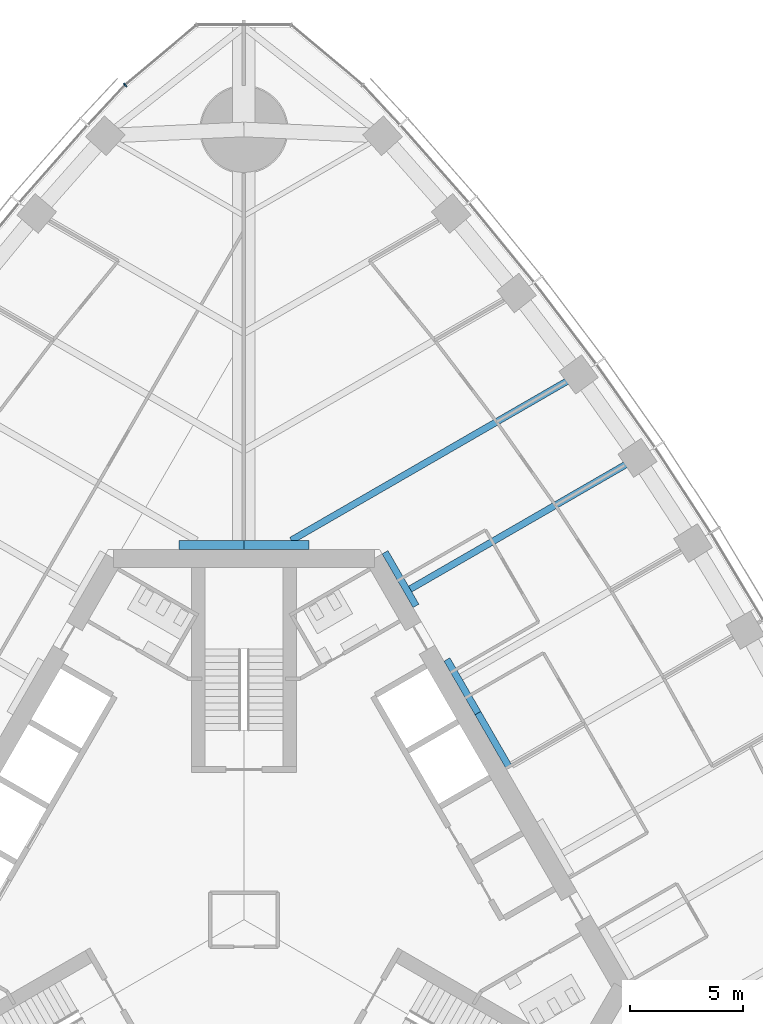
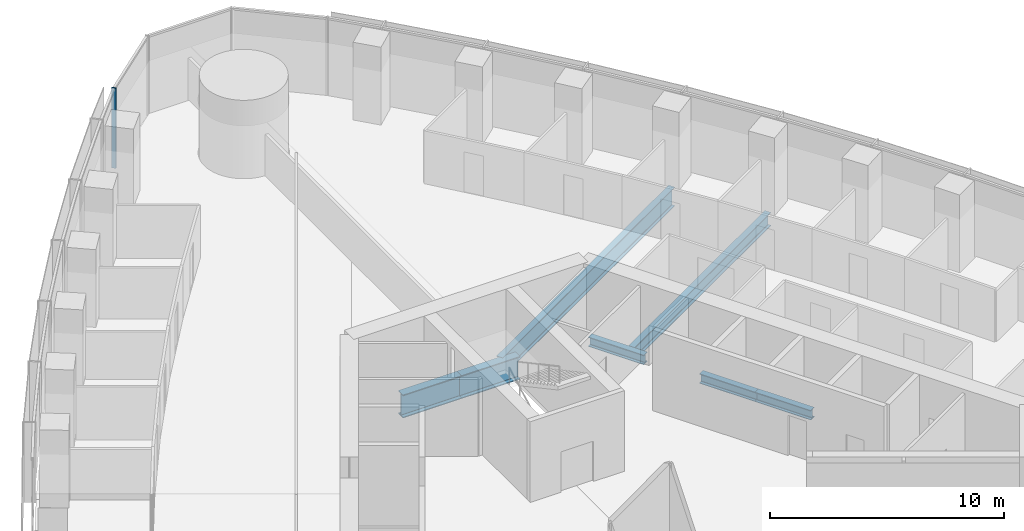
# One storey, part 5 of 21: 7 beams, 1 member, 1 element without a shape of its own.
"""IFC4 building model written with IfcOpenShell, lengths in metres."""

from ifc_helpers import new_model, si_unit, direction, frame, origin, origin_2d, place, context, subcontext, project, spatial, rectangle, i_section, extrude, material, material_profile, profile_set, type_object, element, aggregate, save


model = new_model("IFC4")

# Units and contexts
model_context = context("Model", 3, precision=1e-05, world=origin(), true_north=direction((0.0, 1.0)))
body_context = subcontext(model_context, "Body", "Model", "MODEL_VIEW")
ifc_project = project(units=[si_unit("LENGTHUNIT", "METRE"), si_unit("AREAUNIT", "SQUARE_METRE"), si_unit("VOLUMEUNIT", "CUBIC_METRE"), si_unit("PLANEANGLEUNIT", "RADIAN"), si_unit("MASSUNIT", "GRAM", prefix="KILO")], contexts=[model_context])

# Site, building, storey
site_placement = place(None, origin())
site = spatial("IfcSite", under=ifc_project, at=site_placement, CompositionType="ELEMENT")
building_placement = place(site_placement, origin())
building = spatial("IfcBuilding", under=site, at=building_placement, Name="Trefoil Bronze Tower", CompositionType="ELEMENT")
storey_placement = place(building_placement, frame((0.0, 0.0, 153.5)))
storey = spatial("IfcBuildingStorey", under=building, at=storey_placement, Name="L35", CompositionType="ELEMENT", Elevation=153.5)

# Curtain wall, member
ifc_material_1 = material(Name="Tinted solar-control glass", Category="glass")
curtain_wall_type = type_object("IfcCurtainWallType", Name="Bronze rounded corner curtain wall", PredefinedType="USERDEFINED", material=ifc_material_1)
curtain_wall_placement = place(storey_placement, origin())
curtain_wall = element("IfcCurtainWall", 1, at=curtain_wall_placement, inside=storey, type_object=curtain_wall_type, Name="CW-B L35 K2", ObjectType="CURTAIN WALL", PredefinedType="USERDEFINED")
ifc_material_2 = material(Name="Bronze-finish aluminium", Category="aluminium")
ifc_material_profile_1 = material_profile(ifc_material_2, rectangle(XDim=0.199951171875, YDim=0.06005859375, at=origin_2d()), Name="CW-B mullion")
ifc_profile_set_1 = profile_set([ifc_material_profile_1], Name="Bronze-finish aluminium")
member_type = type_object("IfcMemberType", Name="Bronze rounded corner curtain wall mullion", PredefinedType="MULLION", material=ifc_profile_set_1)
member_placement = place(storey_placement, frame((-5.260498046875, 36.975830078125, 0.0), z_axis=(0.0, 0.0, 1.0), x_axis=(0.642787609687, -0.766044443119, 0.0)))
member = element("IfcMember", 2, at=member_placement, type_object=member_type, Name="CW-B L35 K2 mullion 4", PredefinedType="MULLION", context=body_context, shape_type="SweptSolid", body=[
    extrude(rectangle(XDim=0.199951171875, YDim=0.06005859375, at=origin_2d()), origin(), (0.0, 0.0, 1.0), 4.179931640625),
])
aggregate(curtain_wall, [member])

# Beams
ifc_material_3 = material(Name="Steel C355", Category="steel")
ifc_material_profile_2 = material_profile(ifc_material_3, i_section(OverallWidth=0.300048828125, OverallDepth=0.5, WebThickness=0.014404296875, FlangeThickness=0.028076171875, FilletRadius=0.027099609375, at=origin_2d()), Name="HEB 500")
ifc_profile_set_2 = profile_set([ifc_material_profile_2], Name="Steel C355")
beam_type_1 = type_object("IfcBeamType", Name="Core seat beam HEB 500", PredefinedType="BEAM", material=ifc_profile_set_2)
for number, where, z_axis, x_axis, name in (
    (3, (11.734619140625, 6.77490234375, -0.449951171875), (-0.499969057507, 0.866043267704, 0.0), (-0.866043267704, -0.499969057507, 0.0), "Core seat beam F2/+0 L35"),
    (4, (10.363525390625, 9.14990234375, -0.449951171875), (-0.500035825175, 0.866004719122, 0.0), (-0.866004719122, -0.500035825175, 0.0), "Core seat beam F2/+1 L35"),
    (5, (7.62109375, 13.89990234375, -0.449951171875), (-0.500035825175, 0.866004719122, 0.0), (-0.866004719122, -0.500035825175, 0.0), "Core seat beam F2/+2 L35"),
):
    element("IfcBeam", number, at=place(storey_placement, frame(where, z_axis=z_axis, x_axis=x_axis)), inside=storey, type_object=beam_type_1, Name=name, PredefinedType="BEAM", context=body_context, shape_type="SweptSolid", body=[
        extrude(i_section(OverallWidth=0.300048828125, OverallDepth=0.5, WebThickness=0.014404296875, FlangeThickness=0.028076171875, FilletRadius=0.027099609375, at=origin_2d()), origin(), (0.0, 0.0, 1.0), 2.742431640625),
    ])
ifc_material_4 = material(Name="Steel C355", Category="steel")
ifc_material_profile_3 = material_profile(ifc_material_4, i_section(OverallWidth=0.39990234375, OverallDepth=1.199951171875, WebThickness=0.02001953125, FlangeThickness=0.0400390625, FilletRadius=0.010009765625, at=origin_2d()), Name="WPG 1200")
ifc_profile_set_3 = profile_set([ifc_material_profile_3], Name="Steel C355")
beam_type_2 = type_object("IfcBeamType", Name="Core seat beam WPG 1200", PredefinedType="BEAM", material=ifc_profile_set_3)
for number, where, z_axis, x_axis, name in (
    (6, (2.88671875, 16.60009765625, -0.800048828125), (-1.0, 0.0, 0.0), (0.0, -1.0, 0.0), "Core seat beam F2/+3 L35"),
    (7, (0.0, 16.60009765625, -0.800048828125), (-1.0, 0.0, 0.0), (0.0, -1.0, 0.0), "Core seat beam F3/-3 L35"),
):
    element("IfcBeam", number, at=place(storey_placement, frame(where, z_axis=z_axis, x_axis=x_axis)), inside=storey, type_object=beam_type_2, Name=name, PredefinedType="BEAM", context=body_context, shape_type="SweptSolid", body=[
        extrude(i_section(OverallWidth=0.39990234375, OverallDepth=1.199951171875, WebThickness=0.02001953125, FlangeThickness=0.0400390625, FilletRadius=0.010009765625, at=origin_2d()), origin(), (0.0, 0.0, 1.0), 2.88671875),
    ])
ifc_material_5 = material(Name="Steel C355", Category="steel")
ifc_material_profile_4 = material_profile(ifc_material_5, i_section(OverallWidth=0.300048828125, OverallDepth=1.0, WebThickness=0.01904296875, FlangeThickness=0.035888671875, FilletRadius=0.030029296875, at=origin_2d()), Name="HEB 1000")
ifc_profile_set_4 = profile_set([ifc_material_profile_4], Name="Steel C355")
beam_type_3 = type_object("IfcBeamType", Name="Floor beam HEB 1000", PredefinedType="BEAM", material=ifc_profile_set_4)
beam_1_placement = place(storey_placement, frame((14.825439453125, 24.14794921875, -0.699951171875), z_axis=(-0.866027342682, -0.499996641717, 0.0), x_axis=(0.499996641717, -0.866027342682, 0.0)))
element("IfcBeam", 8, at=beam_1_placement, inside=storey, type_object=beam_type_3, Name="Floor beam F2/+3 L35", PredefinedType="BEAM", context=body_context, shape_type="SweptSolid", body=[
    extrude(i_section(OverallWidth=0.300048828125, OverallDepth=1.0, WebThickness=0.01904296875, FlangeThickness=0.035888671875, FilletRadius=0.030029296875, at=origin_2d()), origin(), (0.0, 0.0, 1.0), 14.69580078125),
])
ifc_material_6 = material(Name="Steel C355", Category="steel")
ifc_material_profile_5 = material_profile(ifc_material_6, i_section(OverallWidth=0.300048828125, OverallDepth=0.699951171875, WebThickness=0.01708984375, FlangeThickness=0.031982421875, FilletRadius=0.027099609375, at=origin_2d()), Name="HEB 700")
ifc_profile_set_5 = profile_set([ifc_material_profile_5], Name="Steel C355")
beam_type_4 = type_object("IfcBeamType", Name="Floor beam HEB 700", PredefinedType="BEAM", material=ifc_profile_set_5)
beam_2_placement = place(storey_placement, frame((17.43017578125, 20.45556640625, -0.550048828125), z_axis=(-0.866030626868, -0.499990953245, 0.0), x_axis=(0.499990953245, -0.866030626868, 0.0)))
element("IfcBeam", 9, at=beam_2_placement, inside=storey, type_object=beam_type_4, Name="Floor beam F2/+2 L35", PredefinedType="BEAM", context=body_context, shape_type="SweptSolid", body=[
    extrude(i_section(OverallWidth=0.300048828125, OverallDepth=0.699951171875, WebThickness=0.01708984375, FlangeThickness=0.031982421875, FilletRadius=0.027099609375, at=origin_2d()), origin(), (0.0, 0.0, 1.0), 11.622802734375),
])

save(model, "model.ifc")
